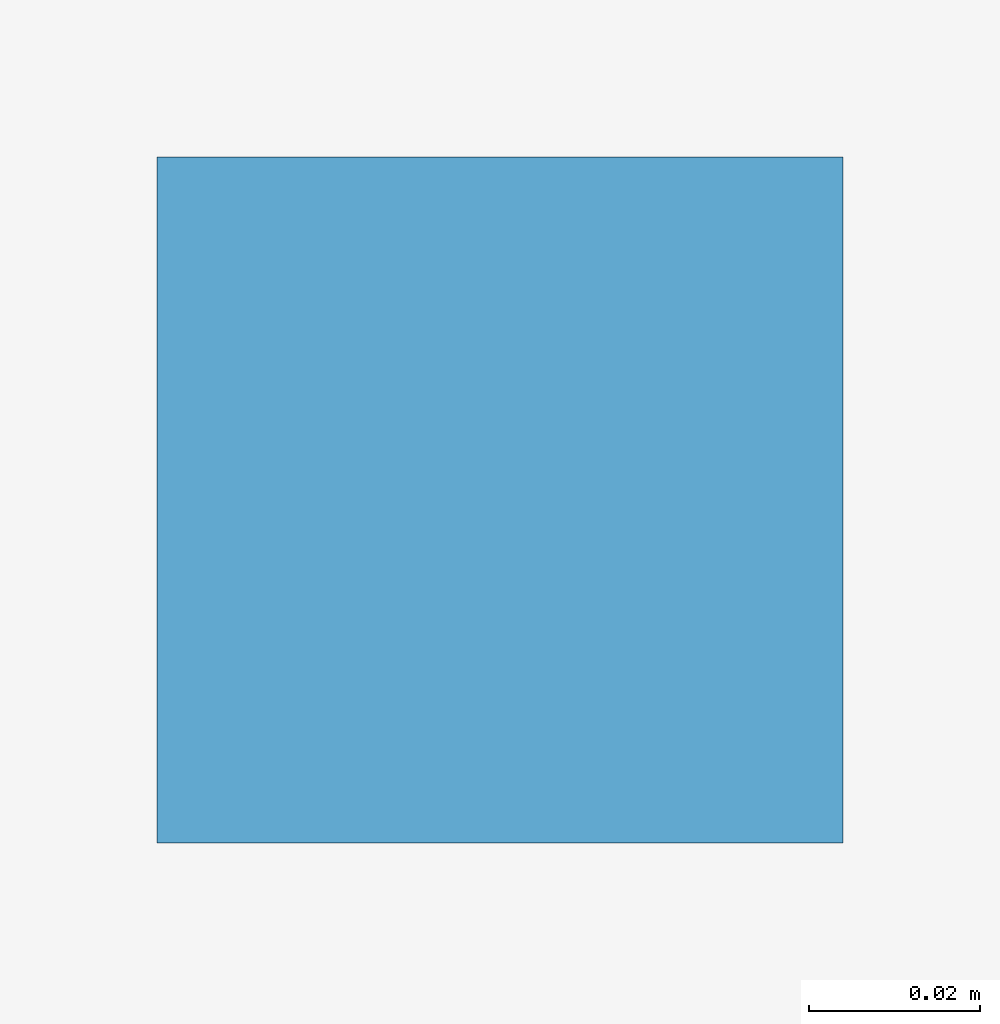
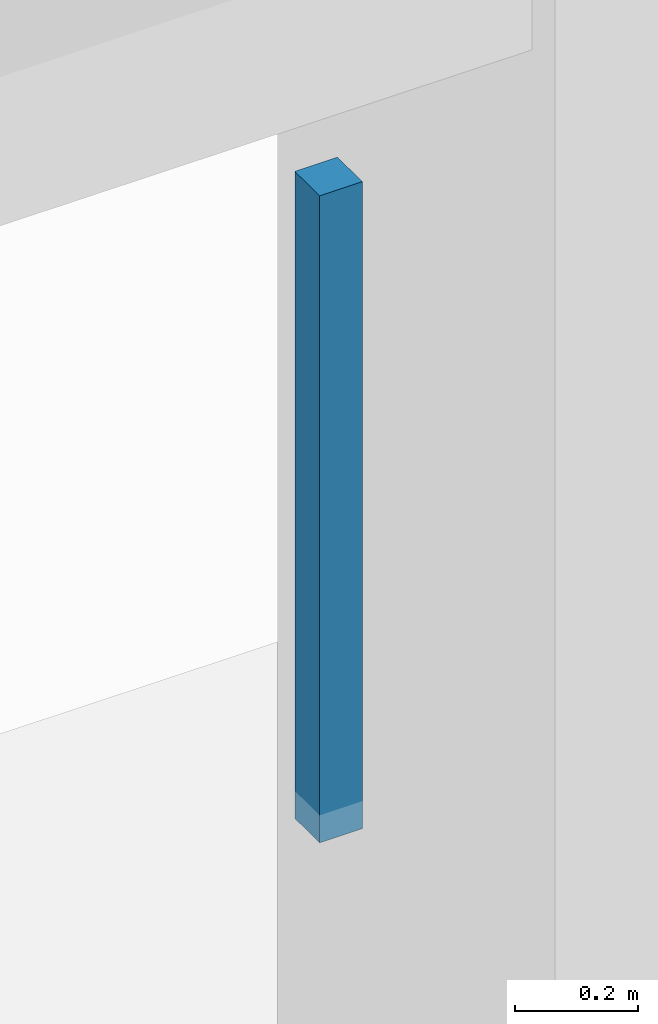
# One storey, part 126 of 147: 1 discrete accessory.
"""IFC4 building model written with IfcOpenShell, lengths in metres."""

from ifc_helpers import new_model, si_unit, direction, frame, origin, origin_2d, place, context, subcontext, project, spatial, rectangle, extrude, material, layer, layer_set, type_object, element, save


model = new_model("IFC4")

# Units and contexts
model_context = context("Model", 3, precision=1e-05, world=origin(), true_north=direction((0.0, 1.0)))
body_context = subcontext(model_context, "Body", "Model", "MODEL_VIEW")
ifc_project = project(units=[si_unit("LENGTHUNIT", "METRE"), si_unit("AREAUNIT", "SQUARE_METRE"), si_unit("VOLUMEUNIT", "CUBIC_METRE"), si_unit("PLANEANGLEUNIT", "RADIAN"), si_unit("MASSUNIT", "GRAM", prefix="KILO")], contexts=[model_context])

# Site, building, storey
site_placement = place(None, origin())
site = spatial("IfcSite", under=ifc_project, at=site_placement, CompositionType="ELEMENT")
building_placement = place(site_placement, origin())
building = spatial("IfcBuilding", under=site, at=building_placement, Name="Varnabhumi Central Station", CompositionType="ELEMENT")
storey_placement = place(building_placement, origin())
storey = spatial("IfcBuildingStorey", under=building, at=storey_placement, Name="L00", CompositionType="ELEMENT", Elevation=0.0)

# Discrete accessory
ifc_material = material(Name="Structural steel E350", Category="steel")
ifc_layer = layer(ifc_material, 0.159912109375, Name="Structural steel E350", Category="steel")
ifc_layer_set = layer_set([ifc_layer], Name="Structural steel E350")
discrete_accessory_type = type_object("IfcDiscreteAccessoryType", Name="ACC-SHADE-BRKT", PredefinedType="BRACKET", material=ifc_layer_set)
discrete_accessory_placement = place(storey_placement, frame((166.0, 77.60009765625, 3.39013671875), z_axis=(0.0, 0.0, 1.0), x_axis=(1.0, 0.0, 0.0)))
element("IfcDiscreteAccessory", 1, at=discrete_accessory_placement, inside=storey, type_object=discrete_accessory_type, Name="Platform 4 Seated Waiting Shelter Ceiling Hanger", PredefinedType="BRACKET", context=body_context, shape_type="SweptSolid", body=[
    extrude(rectangle(XDim=0.080078125, YDim=0.080078125, at=origin_2d()), origin(), (0.0, 0.0, 1.0), 1.280029296875),
])

save(model, "model.ifc")
